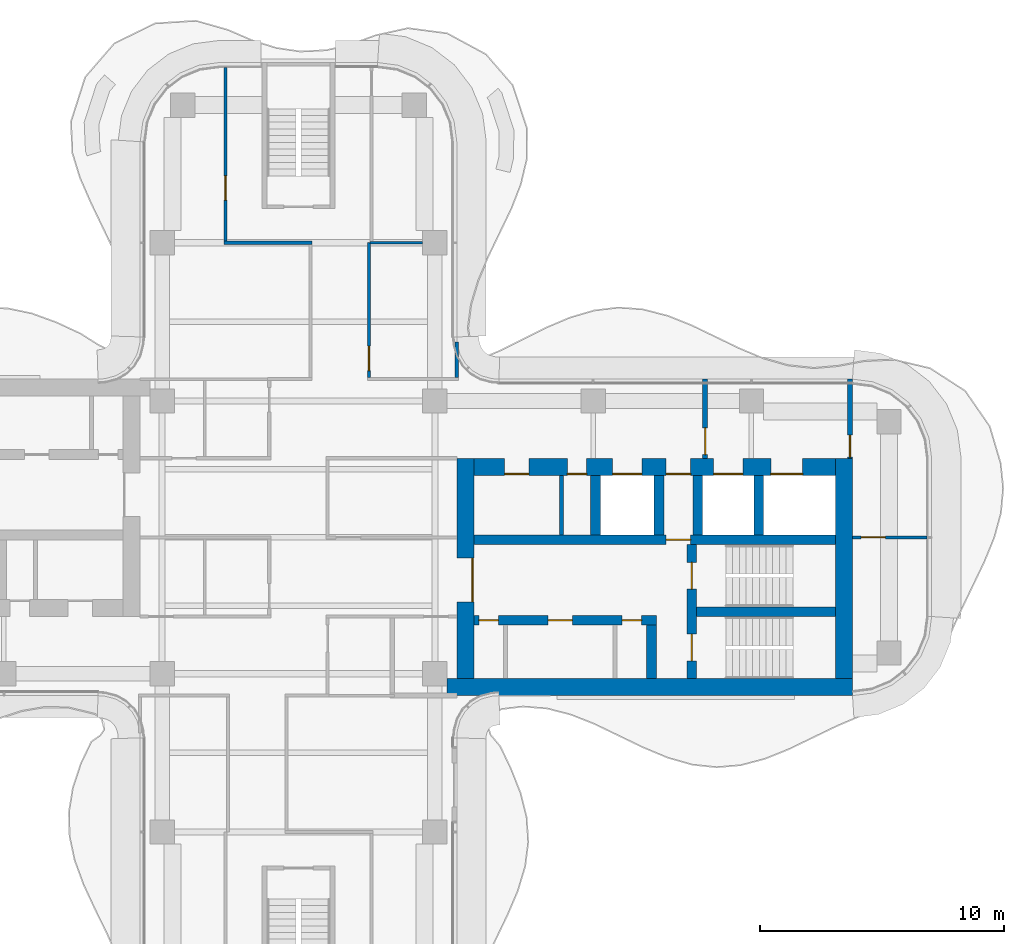
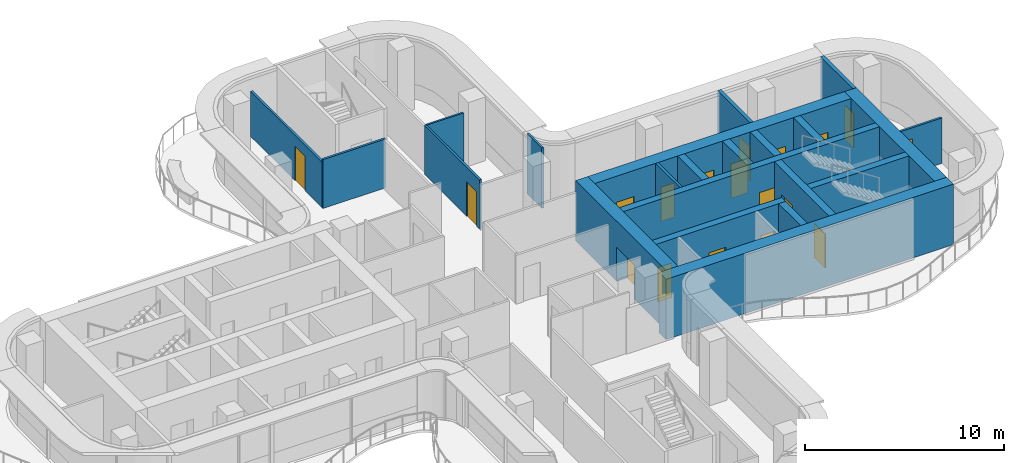
# One storey, part 13 of 16: 22 walls, 18 doors, 18 openings.
"""IFC4 building model written with IfcOpenShell, lengths in metres."""

from ifc_helpers import new_model, si_unit, direction, frame, frame_2d, origin, place, context, subcontext, project, spatial, rectangle, extrude, source, transform, mapped, material, layer, layer_set, type_object, element, fill, save


model = new_model("IFC4")

# Units and contexts
model_context = context("Model", 3, precision=1e-05, world=origin(), true_north=direction((0.0, 1.0)))
body_context = subcontext(model_context, "Body", "Model", "MODEL_VIEW")
ifc_project = project(units=[si_unit("LENGTHUNIT", "METRE"), si_unit("AREAUNIT", "SQUARE_METRE"), si_unit("VOLUMEUNIT", "CUBIC_METRE"), si_unit("PLANEANGLEUNIT", "RADIAN"), si_unit("MASSUNIT", "GRAM", prefix="KILO")], contexts=[model_context])

# Site, building, storey
site_placement = place(None, origin())
site = spatial("IfcSite", under=ifc_project, at=site_placement, CompositionType="ELEMENT")
building_placement = place(site_placement, origin())
building = spatial("IfcBuilding", under=site, at=building_placement, Name="Trellis Farm Tower", CompositionType="ELEMENT")
storey_placement = place(building_placement, frame((0.0, 0.0, 314.5)))
storey = spatial("IfcBuildingStorey", under=building, at=storey_placement, Name="L71", CompositionType="ELEMENT", Elevation=314.5)

# Wall, opening, door
ifc_material_1 = material(Name="Concrete C50/60", Category="concrete")
ifc_layer_1 = layer(ifc_material_1, 0.699951171875)
ifc_layer_set_1 = layer_set([ifc_layer_1], Name="CORE OUTER WALL 700 CONCRETE C50/60")
wall_type_1 = type_object("IfcWallType", Name="CORE OUTER WALL 700 CONCRETE C50/60", PredefinedType="SHEAR", material=ifc_layer_set_1)
shared_shape_1 = source(origin(), body_context, "Body", "SweptSolid", [
    extrude(rectangle(XDim=9.050048828125, YDim=0.699951171875, at=frame_2d((4.52490234375, 0.0))), origin(), (0.0, 0.0, 1.0), 3.699951171875),
])
wall_1_placement = place(storey_placement, frame((6.85009765625, -5.800048828125, 0.0), z_axis=(0.0, 0.0, 1.0), x_axis=(0.0, 1.0, 0.0)))
wall_1 = element("IfcWall", 1, at=wall_1_placement, inside=storey, type_object=wall_type_1, Name="Core wall", PredefinedType="SHEAR", context=body_context, shape_type="MappedRepresentation", body=[
    mapped(shared_shape_1, transform((0.0, 0.0, 0.0))),
])
shared_shape_2 = source(origin(), body_context, "Body", "SweptSolid", [
    extrude(rectangle(XDim=1.800048828125, YDim=2.10009765625, at=frame_2d((0.89990234375, 1.050048828125))), frame((0.0, 0.360107421875, 0.0), z_axis=(0.0, -1.0, 0.0), x_axis=(1.0, 0.0, 0.0)), (0.0, 0.0, 1.0), 0.72021484375),
])
opening_1_placement = place(wall_1_placement, frame((3.14990234375, 0.0, 0.0)))
opening_1 = element("IfcOpeningElement", 2, at=opening_1_placement, cuts=wall_1, Name="Opening DC1", PredefinedType="OPENING", context=body_context, shape_type="MappedRepresentation", body=[
    mapped(shared_shape_2, transform((0.0, 0.0, 0.0))),
])
ifc_material_2 = material(Name="Steel", Category="steel")
door_type_1 = type_object("IfcDoorType", Name="CORE FIRE DOOR DOUBLE 1800 X 2100", OperationType="DOUBLE_DOOR_SINGLE_SWING", PredefinedType="DOOR", material=ifc_material_2)
shared_shape_3 = source(origin(), body_context, "Body", "SweptSolid", [
    extrude(rectangle(XDim=1.800048828125, YDim=2.10009765625, at=frame_2d((0.89990234375, 1.050048828125))), frame((0.0, -0.27490234375, 0.0), z_axis=(0.0, -1.0, 0.0), x_axis=(1.0, 0.0, 0.0)), (0.0, 0.0, 1.0), 0.050048828125),
])
door_1_placement = place(opening_1_placement, origin())
door_1 = element("IfcDoor", 3, at=door_1_placement, inside=storey, type_object=door_type_1, Name="Core door", OperationType="DOUBLE_DOOR_SINGLE_SWING", OverallHeight=2.10009765625, OverallWidth=1.800048828125, PredefinedType="DOOR", context=body_context, shape_type="MappedRepresentation", body=[
    mapped(shared_shape_3, transform((0.0, 0.0, 0.0))),
])
fill(opening_1, door_1)

# Walls
wall_2_placement = place(storey_placement, frame((22.39990234375, -5.800048828125, 0.0), z_axis=(0.0, 0.0, 1.0), x_axis=(0.0, 1.0, 0.0)))
element("IfcWall", 4, at=wall_2_placement, inside=storey, type_object=wall_type_1, Name="Core wall", PredefinedType="SHEAR", context=body_context, shape_type="MappedRepresentation", body=[
    mapped(shared_shape_1, transform((0.0, 0.0, 0.0))),
])
ifc_layer_2 = layer(ifc_material_1, 0.39990234375)
ifc_layer_set_2 = layer_set([ifc_layer_2], Name="CORE INNER WALL 400 CONCRETE C50/60")
wall_type_2 = type_object("IfcWallType", Name="CORE INNER WALL 400 CONCRETE C50/60", PredefinedType="SHEAR", material=ifc_layer_set_2)
shared_shape_4 = source(origin(), body_context, "Body", "SweptSolid", [
    extrude(rectangle(XDim=2.449951171875, YDim=0.39990234375, at=frame_2d((1.22509765625, 0.0))), origin(), (0.0, 0.0, 1.0), 3.699951171875),
])
for number, where, z_axis, x_axis, name in (
    (5, (12.199951171875, 0.10009765625, 0.0), (0.0, 0.0, 1.0), (0.0, 1.0, 0.0), "Core wall"),
    (6, (14.800048828125, 0.10009765625, 0.0), (0.0, 0.0, 1.0), (0.0, 1.0, 0.0), "Core wall"),
    (7, (16.39990234375, 0.10009765625, 0.0), (0.0, 0.0, 1.0), (0.0, 1.0, 0.0), "Core wall"),
    (8, (18.89990234375, 0.10009765625, 0.0), (0.0, 0.0, 1.0), (0.0, 1.0, 0.0), "Core wall"),
):
    element("IfcWall", number, at=place(storey_placement, frame(where, z_axis=z_axis, x_axis=x_axis)), inside=storey, type_object=wall_type_2, Name=name, PredefinedType="SHEAR", context=body_context, shape_type="MappedRepresentation", body=[
        mapped(shared_shape_4, transform((0.0, 0.0, 0.0))),
    ])

# Wall, opening, door
ifc_material_3 = material(Name="Masonry blockwork", Category="masonry")
ifc_layer_3 = layer(ifc_material_3, 0.199951171875)
ifc_layer_set_3 = layer_set([ifc_layer_3], Name="FIRE LOBBY PARTITION 200 BLOCKWORK")
wall_type_3 = type_object("IfcWallType", Name="FIRE LOBBY PARTITION 200 BLOCKWORK", PredefinedType="PARTITIONING", material=ifc_layer_set_3)
shared_shape_5 = source(origin(), body_context, "Body", "SweptSolid", [
    extrude(rectangle(XDim=3.25, YDim=0.199951171875, at=frame_2d((1.625, 0.0))), origin(), (0.0, 0.0, 1.0), 3.699951171875),
])
wall_3_placement = place(storey_placement, frame((16.699951171875, 3.25, 0.0), z_axis=(0.0, 0.0, 1.0), x_axis=(0.0, 1.0, 0.0)))
wall_3 = element("IfcWall", 9, at=wall_3_placement, inside=storey, type_object=wall_type_3, Name="Fire-fighting lobby partition", PredefinedType="PARTITIONING", context=body_context, shape_type="MappedRepresentation", body=[
    mapped(shared_shape_5, transform((0.0, 0.0, 0.0))),
])
shared_shape_6 = source(origin(), body_context, "Body", "SweptSolid", [
    extrude(rectangle(XDim=1.10009765625, YDim=2.10009765625, at=frame_2d((0.550048828125, 1.050048828125))), frame((0.0, 0.110107421875, 0.0), z_axis=(0.0, -1.0, 0.0), x_axis=(1.0, 0.0, 0.0)), (0.0, 0.0, 1.0), 0.22021484375),
])
opening_2_placement = place(wall_3_placement, frame((0.14990234375, 0.0, 0.0)))
opening_2 = element("IfcOpeningElement", 10, at=opening_2_placement, cuts=wall_3, Name="Opening DC7", PredefinedType="OPENING", context=body_context, shape_type="MappedRepresentation", body=[
    mapped(shared_shape_6, transform((0.0, 0.0, 0.0))),
])
door_type_2 = type_object("IfcDoorType", Name="CORE FIRE DOOR 1100 X 2100", OperationType="NOTDEFINED", PredefinedType="DOOR", material=ifc_material_2)
shared_shape_7 = source(origin(), body_context, "Body", "SweptSolid", [
    extrude(rectangle(XDim=1.10009765625, YDim=2.10009765625, at=frame_2d((0.550048828125, 1.050048828125))), frame((0.0, 0.02490234375, 0.0), z_axis=(0.0, -1.0, 0.0), x_axis=(1.0, 0.0, 0.0)), (0.0, 0.0, 1.0), 0.050048828125),
])
door_2_placement = place(opening_2_placement, origin())
door_2 = element("IfcDoor", 11, at=door_2_placement, inside=storey, type_object=door_type_2, Name="Core door", OperationType="SINGLE_SWING_RIGHT", OverallHeight=2.10009765625, OverallWidth=1.10009765625, PredefinedType="DOOR", context=body_context, shape_type="MappedRepresentation", body=[
    mapped(shared_shape_7, transform((0.0, 0.0, 0.0))),
])
fill(opening_2, door_2)

wall_4_placement = place(storey_placement, frame((22.64990234375, 3.25, 0.0), z_axis=(0.0, 0.0, 1.0), x_axis=(0.0, 1.0, 0.0)))
wall_4 = element("IfcWall", 12, at=wall_4_placement, inside=storey, type_object=wall_type_3, Name="Fire-fighting lobby partition", PredefinedType="PARTITIONING", context=body_context, shape_type="MappedRepresentation", body=[
    mapped(shared_shape_5, transform((0.0, 0.0, 0.0))),
])
shared_shape_8 = source(origin(), body_context, "Body", "SweptSolid", [
    extrude(rectangle(XDim=0.89990234375, YDim=2.10009765625, at=frame_2d((0.449951171875, 1.050048828125))), frame((0.0, 0.110107421875, 0.0), z_axis=(0.0, -1.0, 0.0), x_axis=(1.0, 0.0, 0.0)), (0.0, 0.0, 1.0), 0.22021484375),
])
opening_3_placement = place(wall_4_placement, frame((0.050048828125, 0.0, 0.0)))
opening_3 = element("IfcOpeningElement", 13, at=opening_3_placement, cuts=wall_4, Name="Opening DC8", PredefinedType="OPENING", context=body_context, shape_type="MappedRepresentation", body=[
    mapped(shared_shape_8, transform((0.0, 0.0, 0.0))),
])
door_type_3 = type_object("IfcDoorType", Name="CORE FIRE DOOR 900 X 2100", OperationType="NOTDEFINED", PredefinedType="DOOR", material=ifc_material_2)
shared_shape_9 = source(origin(), body_context, "Body", "SweptSolid", [
    extrude(rectangle(XDim=0.89990234375, YDim=2.10009765625, at=frame_2d((0.449951171875, 1.050048828125))), frame((0.0, 0.02490234375, 0.0), z_axis=(0.0, -1.0, 0.0), x_axis=(1.0, 0.0, 0.0)), (0.0, 0.0, 1.0), 0.050048828125),
])
door_3_placement = place(opening_3_placement, origin())
door_3 = element("IfcDoor", 14, at=door_3_placement, inside=storey, type_object=door_type_3, Name="Core door", OperationType="SINGLE_SWING_RIGHT", OverallHeight=2.10009765625, OverallWidth=0.89990234375, PredefinedType="DOOR", context=body_context, shape_type="MappedRepresentation", body=[
    mapped(shared_shape_9, transform((0.0, 0.0, 0.0))),
])
fill(opening_3, door_3)

# Wall, openings, doors
shared_shape_10 = source(origin(), body_context, "Body", "SweptSolid", [
    extrude(rectangle(XDim=14.85009765625, YDim=0.699951171875, at=frame_2d((7.425048828125, 0.0))), origin(), (0.0, 0.0, 1.0), 3.699951171875),
])
wall_5_placement = place(storey_placement, frame((7.199951171875, 2.89990234375, 0.0), z_axis=(0.0, 0.0, 1.0), x_axis=(1.0, 0.0, 0.0)))
wall_5 = element("IfcWall", 15, at=wall_5_placement, inside=storey, type_object=wall_type_1, Name="Core wall", PredefinedType="SHEAR", context=body_context, shape_type="MappedRepresentation", body=[
    mapped(shared_shape_10, transform((0.0, 0.0, 0.0))),
])
shared_shape_11 = source(origin(), body_context, "Body", "SweptSolid", [
    extrude(rectangle(XDim=1.199951171875, YDim=2.10009765625, at=frame_2d((0.60009765625, 1.050048828125))), frame((0.0, 0.360107421875, 0.0), z_axis=(0.0, -1.0, 0.0), x_axis=(1.0, 0.0, 0.0)), (0.0, 0.0, 1.0), 0.72021484375),
])
opening_4_placement = place(wall_5_placement, frame((5.699951171875, 0.0, 0.0)))
opening_4 = element("IfcOpeningElement", 16, at=opening_4_placement, cuts=wall_5, Name="Opening LD6", PredefinedType="OPENING", context=body_context, shape_type="MappedRepresentation", body=[
    mapped(shared_shape_11, transform((0.0, 0.0, 0.0))),
])
shared_shape_12 = source(origin(), body_context, "Body", "SweptSolid", [
    extrude(rectangle(XDim=1.300048828125, YDim=2.10009765625, at=frame_2d((0.64990234375, 1.050048828125))), frame((0.0, 0.360107421875, 0.0), z_axis=(0.0, -1.0, 0.0), x_axis=(1.0, 0.0, 0.0)), (0.0, 0.0, 1.0), 0.72021484375),
])
opening_5_placement = place(wall_5_placement, frame((12.199951171875, 0.0, 0.0)))
opening_5 = element("IfcOpeningElement", 17, at=opening_5_placement, cuts=wall_5, Name="Opening LD7", PredefinedType="OPENING", context=body_context, shape_type="MappedRepresentation", body=[
    mapped(shared_shape_12, transform((0.0, 0.0, 0.0))),
])
opening_6_placement = place(wall_5_placement, frame((9.85009765625, 0.0, 0.0)))
opening_6 = element("IfcOpeningElement", 18, at=opening_6_placement, cuts=wall_5, Name="Opening LD8", PredefinedType="OPENING", context=body_context, shape_type="MappedRepresentation", body=[
    mapped(shared_shape_11, transform((0.0, 0.0, 0.0))),
])
shared_shape_13 = source(origin(), body_context, "Body", "SweptSolid", [
    extrude(rectangle(XDim=1.0, YDim=2.10009765625, at=frame_2d((0.5, 1.050048828125))), frame((0.0, 0.360107421875, 0.0), z_axis=(0.0, -1.0, 0.0), x_axis=(1.0, 0.0, 0.0)), (0.0, 0.0, 1.0), 0.72021484375),
])
opening_7_placement = place(wall_5_placement, frame((7.89990234375, 0.0, 0.0)))
opening_7 = element("IfcOpeningElement", 19, at=opening_7_placement, cuts=wall_5, Name="Opening DC6", PredefinedType="OPENING", context=body_context, shape_type="MappedRepresentation", body=[
    mapped(shared_shape_13, transform((0.0, 0.0, 0.0))),
])
opening_8_placement = place(wall_5_placement, frame((1.262451171875, 0.0, 0.0)))
opening_8 = element("IfcOpeningElement", 20, at=opening_8_placement, cuts=wall_5, Name="Opening DC14", PredefinedType="OPENING", context=body_context, shape_type="MappedRepresentation", body=[
    mapped(shared_shape_13, transform((0.0, 0.0, 0.0))),
])
shared_shape_14 = source(origin(), body_context, "Body", "SweptSolid", [
    extrude(rectangle(XDim=0.800048828125, YDim=2.10009765625, at=frame_2d((0.39990234375, 1.050048828125))), frame((0.0, 0.360107421875, 0.0), z_axis=(0.0, -1.0, 0.0), x_axis=(1.0, 0.0, 0.0)), (0.0, 0.0, 1.0), 0.72021484375),
])
opening_9_placement = place(wall_5_placement, frame((3.83740234375, 0.0, 0.0)))
opening_9 = element("IfcOpeningElement", 21, at=opening_9_placement, cuts=wall_5, Name="Opening DC15", PredefinedType="OPENING", context=body_context, shape_type="MappedRepresentation", body=[
    mapped(shared_shape_14, transform((0.0, 0.0, 0.0))),
])
door_type_4 = type_object("IfcDoorType", Name="CORE FIRE DOOR 1000 X 2100", OperationType="NOTDEFINED", PredefinedType="DOOR", material=ifc_material_2)
shared_shape_15 = source(origin(), body_context, "Body", "SweptSolid", [
    extrude(rectangle(XDim=1.0, YDim=2.10009765625, at=frame_2d((0.5, 1.050048828125))), frame((0.0, -0.27490234375, 0.0), z_axis=(0.0, -1.0, 0.0), x_axis=(1.0, 0.0, 0.0)), (0.0, 0.0, 1.0), 0.050048828125),
])
door_4_placement = place(opening_7_placement, origin())
door_4 = element("IfcDoor", 22, at=door_4_placement, inside=storey, type_object=door_type_4, Name="Core door", OperationType="SINGLE_SWING_LEFT", OverallHeight=2.10009765625, OverallWidth=1.0, PredefinedType="DOOR", context=body_context, shape_type="MappedRepresentation", body=[
    mapped(shared_shape_15, transform((0.0, 0.0, 0.0))),
])
fill(opening_7, door_4)
door_5_placement = place(opening_8_placement, origin())
door_5 = element("IfcDoor", 23, at=door_5_placement, inside=storey, type_object=door_type_4, Name="Core door", OperationType="SINGLE_SWING_RIGHT", OverallHeight=2.10009765625, OverallWidth=1.0, PredefinedType="DOOR", context=body_context, shape_type="MappedRepresentation", body=[
    mapped(shared_shape_15, transform((0.0, 0.0, 0.0))),
])
fill(opening_8, door_5)
ifc_material_4 = material(Name="Stainless steel", Category="steel")
door_type_5 = type_object("IfcDoorType", Name="LIFT LANDING DOOR 1300 X 2100", OperationType="DOUBLE_DOOR_SLIDING", PredefinedType="DOOR", material=ifc_material_4)
shared_shape_16 = source(origin(), body_context, "Body", "SweptSolid", [
    extrude(rectangle(XDim=1.300048828125, YDim=2.10009765625, at=frame_2d((0.64990234375, 1.050048828125))), frame((0.0, -0.27490234375, 0.0), z_axis=(0.0, -1.0, 0.0), x_axis=(1.0, 0.0, 0.0)), (0.0, 0.0, 1.0), 0.050048828125),
])
door_6_placement = place(opening_5_placement, origin())
door_6 = element("IfcDoor", 24, at=door_6_placement, inside=storey, type_object=door_type_5, Name="Lift landing door", OperationType="DOUBLE_DOOR_SLIDING", OverallHeight=2.10009765625, OverallWidth=1.300048828125, PredefinedType="DOOR", context=body_context, shape_type="MappedRepresentation", body=[
    mapped(shared_shape_16, transform((0.0, 0.0, 0.0))),
])
fill(opening_5, door_6)
door_type_6 = type_object("IfcDoorType", Name="LIFT LANDING DOOR 1200 X 2100", OperationType="DOUBLE_DOOR_SLIDING", PredefinedType="DOOR", material=ifc_material_4)
shared_shape_17 = source(origin(), body_context, "Body", "SweptSolid", [
    extrude(rectangle(XDim=1.199951171875, YDim=2.10009765625, at=frame_2d((0.60009765625, 1.050048828125))), frame((0.0, -0.27490234375, 0.0), z_axis=(0.0, -1.0, 0.0), x_axis=(1.0, 0.0, 0.0)), (0.0, 0.0, 1.0), 0.050048828125),
])
door_7_placement = place(opening_4_placement, origin())
door_7 = element("IfcDoor", 25, at=door_7_placement, inside=storey, type_object=door_type_6, Name="Lift landing door", OperationType="DOUBLE_DOOR_SLIDING", OverallHeight=2.10009765625, OverallWidth=1.199951171875, PredefinedType="DOOR", context=body_context, shape_type="MappedRepresentation", body=[
    mapped(shared_shape_17, transform((0.0, 0.0, 0.0))),
])
fill(opening_4, door_7)
door_8_placement = place(opening_6_placement, origin())
door_8 = element("IfcDoor", 26, at=door_8_placement, inside=storey, type_object=door_type_6, Name="Lift landing door", OperationType="DOUBLE_DOOR_SLIDING", OverallHeight=2.10009765625, OverallWidth=1.199951171875, PredefinedType="DOOR", context=body_context, shape_type="MappedRepresentation", body=[
    mapped(shared_shape_17, transform((0.0, 0.0, 0.0))),
])
fill(opening_6, door_8)
door_type_7 = type_object("IfcDoorType", Name="CORE FIRE DOOR 800 X 2100", OperationType="NOTDEFINED", PredefinedType="DOOR", material=ifc_material_2)
shared_shape_18 = source(origin(), body_context, "Body", "SweptSolid", [
    extrude(rectangle(XDim=0.800048828125, YDim=2.10009765625, at=frame_2d((0.39990234375, 1.050048828125))), frame((0.0, -0.27490234375, 0.0), z_axis=(0.0, -1.0, 0.0), x_axis=(1.0, 0.0, 0.0)), (0.0, 0.0, 1.0), 0.050048828125),
])
door_9_placement = place(opening_9_placement, origin())
door_9 = element("IfcDoor", 27, at=door_9_placement, inside=storey, type_object=door_type_7, Name="Core door", OperationType="SINGLE_SWING_LEFT", OverallHeight=2.10009765625, OverallWidth=0.800048828125, PredefinedType="DOOR", context=body_context, shape_type="MappedRepresentation", body=[
    mapped(shared_shape_18, transform((0.0, 0.0, 0.0))),
])
fill(opening_9, door_9)

shared_shape_19 = source(origin(), body_context, "Body", "SweptSolid", [
    extrude(rectangle(XDim=7.5, YDim=0.39990234375, at=frame_2d((3.75, 0.0))), origin(), (0.0, 0.0, 1.0), 3.699951171875),
])
wall_6_placement = place(storey_placement, frame((7.199951171875, -3.39990234375, 0.0), z_axis=(0.0, 0.0, 1.0), x_axis=(1.0, 0.0, 0.0)))
wall_6 = element("IfcWall", 28, at=wall_6_placement, inside=storey, type_object=wall_type_2, Name="Core wall", PredefinedType="SHEAR", context=body_context, shape_type="MappedRepresentation", body=[
    mapped(shared_shape_19, transform((0.0, 0.0, 0.0))),
])
shared_shape_20 = source(origin(), body_context, "Body", "SweptSolid", [
    extrude(rectangle(XDim=0.800048828125, YDim=2.10009765625, at=frame_2d((0.39990234375, 1.050048828125))), frame((0.0, 0.2099609375, 0.0), z_axis=(0.0, -1.0, 0.0), x_axis=(1.0, 0.0, 0.0)), (0.0, 0.0, 1.0), 0.419921875),
])
opening_10_placement = place(wall_6_placement, frame((0.21240234375, 0.0, 0.0)))
opening_10 = element("IfcOpeningElement", 29, at=opening_10_placement, cuts=wall_6, Name="Opening DC51", PredefinedType="OPENING", context=body_context, shape_type="MappedRepresentation", body=[
    mapped(shared_shape_20, transform((0.0, 0.0, 0.0))),
])
shared_shape_21 = source(origin(), body_context, "Body", "SweptSolid", [
    extrude(rectangle(XDim=1.0, YDim=2.10009765625, at=frame_2d((0.5, 1.050048828125))), frame((0.0, 0.2099609375, 0.0), z_axis=(0.0, -1.0, 0.0), x_axis=(1.0, 0.0, 0.0)), (0.0, 0.0, 1.0), 0.419921875),
])
opening_11_placement = place(wall_6_placement, frame((3.050048828125, 0.0, 0.0)))
opening_11 = element("IfcOpeningElement", 30, at=opening_11_placement, cuts=wall_6, Name="Opening DC62", PredefinedType="OPENING", context=body_context, shape_type="MappedRepresentation", body=[
    mapped(shared_shape_21, transform((0.0, 0.0, 0.0))),
])
opening_12_placement = place(wall_6_placement, frame((6.08740234375, 0.0, 0.0)))
opening_12 = element("IfcOpeningElement", 31, at=opening_12_placement, cuts=wall_6, Name="Opening DC63", PredefinedType="OPENING", context=body_context, shape_type="MappedRepresentation", body=[
    mapped(shared_shape_20, transform((0.0, 0.0, 0.0))),
])
shared_shape_22 = source(origin(), body_context, "Body", "SweptSolid", [
    extrude(rectangle(XDim=1.0, YDim=2.10009765625, at=frame_2d((0.5, 1.050048828125))), frame((0.0, 0.02490234375, 0.0), z_axis=(0.0, -1.0, 0.0), x_axis=(1.0, 0.0, 0.0)), (0.0, 0.0, 1.0), 0.050048828125),
])
door_10_placement = place(opening_11_placement, origin())
door_10 = element("IfcDoor", 32, at=door_10_placement, inside=storey, type_object=door_type_4, Name="Core door", OperationType="SINGLE_SWING_RIGHT", OverallHeight=2.10009765625, OverallWidth=1.0, PredefinedType="DOOR", context=body_context, shape_type="MappedRepresentation", body=[
    mapped(shared_shape_22, transform((0.0, 0.0, 0.0))),
])
fill(opening_11, door_10)
shared_shape_23 = source(origin(), body_context, "Body", "SweptSolid", [
    extrude(rectangle(XDim=0.800048828125, YDim=2.10009765625, at=frame_2d((0.39990234375, 1.050048828125))), frame((0.0, 0.02490234375, 0.0), z_axis=(0.0, -1.0, 0.0), x_axis=(1.0, 0.0, 0.0)), (0.0, 0.0, 1.0), 0.050048828125),
])
door_11_placement = place(opening_10_placement, origin())
door_11 = element("IfcDoor", 33, at=door_11_placement, inside=storey, type_object=door_type_7, Name="Core door", OperationType="SINGLE_SWING_LEFT", OverallHeight=2.10009765625, OverallWidth=0.800048828125, PredefinedType="DOOR", context=body_context, shape_type="MappedRepresentation", body=[
    mapped(shared_shape_23, transform((0.0, 0.0, 0.0))),
])
fill(opening_10, door_11)
door_12_placement = place(opening_12_placement, origin())
door_12 = element("IfcDoor", 34, at=door_12_placement, inside=storey, type_object=door_type_7, Name="Core door", OperationType="SINGLE_SWING_LEFT", OverallHeight=2.10009765625, OverallWidth=0.800048828125, PredefinedType="DOOR", context=body_context, shape_type="MappedRepresentation", body=[
    mapped(shared_shape_23, transform((0.0, 0.0, 0.0))),
])
fill(opening_12, door_12)

# Wall, opening, door
shared_shape_24 = source(origin(), body_context, "Body", "SweptSolid", [
    extrude(rectangle(XDim=14.85009765625, YDim=0.39990234375, at=frame_2d((7.425048828125, 0.0))), origin(), (0.0, 0.0, 1.0), 3.699951171875),
])
wall_7_placement = place(storey_placement, frame((7.199951171875, -0.10009765625, 0.0), z_axis=(0.0, 0.0, 1.0), x_axis=(1.0, 0.0, 0.0)))
wall_7 = element("IfcWall", 35, at=wall_7_placement, inside=storey, type_object=wall_type_2, Name="Core wall", PredefinedType="SHEAR", context=body_context, shape_type="MappedRepresentation", body=[
    mapped(shared_shape_24, transform((0.0, 0.0, 0.0))),
])
opening_13_placement = place(wall_7_placement, frame((7.89990234375, 0.0, 0.0)))
opening_13 = element("IfcOpeningElement", 36, at=opening_13_placement, cuts=wall_7, Name="Opening DC5", PredefinedType="OPENING", context=body_context, shape_type="MappedRepresentation", body=[
    mapped(shared_shape_21, transform((0.0, 0.0, 0.0))),
])
door_13_placement = place(opening_13_placement, origin())
door_13 = element("IfcDoor", 37, at=door_13_placement, inside=storey, type_object=door_type_4, Name="Core door", OperationType="SINGLE_SWING_RIGHT", OverallHeight=2.10009765625, OverallWidth=1.0, PredefinedType="DOOR", context=body_context, shape_type="MappedRepresentation", body=[
    mapped(shared_shape_22, transform((0.0, 0.0, 0.0))),
])
fill(opening_13, door_13)

# Wall, openings, doors
shared_shape_25 = source(origin(), body_context, "Body", "SweptSolid", [
    extrude(rectangle(XDim=5.5, YDim=0.39990234375, at=frame_2d((2.75, 0.0))), origin(), (0.0, 0.0, 1.0), 3.699951171875),
])
wall_8_placement = place(storey_placement, frame((16.14990234375, -5.800048828125, 0.0), z_axis=(0.0, 0.0, 1.0), x_axis=(0.0, 1.0, 0.0)))
wall_8 = element("IfcWall", 38, at=wall_8_placement, inside=storey, type_object=wall_type_2, Name="Core wall", PredefinedType="SHEAR", context=body_context, shape_type="MappedRepresentation", body=[
    mapped(shared_shape_25, transform((0.0, 0.0, 0.0))),
])
shared_shape_26 = source(origin(), body_context, "Body", "SweptSolid", [
    extrude(rectangle(XDim=1.10009765625, YDim=2.10009765625, at=frame_2d((0.550048828125, 1.050048828125))), frame((0.0, 0.2099609375, 0.0), z_axis=(0.0, -1.0, 0.0), x_axis=(1.0, 0.0, 0.0)), (0.0, 0.0, 1.0), 0.419921875),
])
opening_14_placement = place(wall_8_placement, frame((0.72509765625, 0.0, 0.0)))
opening_14 = element("IfcOpeningElement", 39, at=opening_14_placement, cuts=wall_8, Name="Opening DC2", PredefinedType="OPENING", context=body_context, shape_type="MappedRepresentation", body=[
    mapped(shared_shape_26, transform((0.0, 0.0, 0.0))),
])
opening_15_placement = place(wall_8_placement, frame((3.675048828125, 0.0, 0.0)))
opening_15 = element("IfcOpeningElement", 40, at=opening_15_placement, cuts=wall_8, Name="Opening DC3", PredefinedType="OPENING", context=body_context, shape_type="MappedRepresentation", body=[
    mapped(shared_shape_26, transform((0.0, 0.0, 0.0))),
])
door_14_placement = place(opening_14_placement, origin())
door_14 = element("IfcDoor", 41, at=door_14_placement, inside=storey, type_object=door_type_2, Name="Core door", OperationType="SINGLE_SWING_RIGHT", OverallHeight=2.10009765625, OverallWidth=1.10009765625, PredefinedType="DOOR", context=body_context, shape_type="MappedRepresentation", body=[
    mapped(shared_shape_7, transform((0.0, 0.0, 0.0))),
])
fill(opening_14, door_14)
door_15_placement = place(opening_15_placement, origin())
door_15 = element("IfcDoor", 42, at=door_15_placement, inside=storey, type_object=door_type_2, Name="Core door", OperationType="SINGLE_SWING_LEFT", OverallHeight=2.10009765625, OverallWidth=1.10009765625, PredefinedType="DOOR", context=body_context, shape_type="MappedRepresentation", body=[
    mapped(shared_shape_7, transform((0.0, 0.0, 0.0))),
])
fill(opening_15, door_15)

# Walls
shared_shape_27 = source(origin(), body_context, "Body", "SweptSolid", [
    extrude(rectangle(XDim=5.699951171875, YDim=0.39990234375, at=frame_2d((2.85009765625, 0.0))), origin(), (0.0, 0.0, 1.0), 3.699951171875),
])
wall_9_placement = place(storey_placement, frame((16.35009765625, -3.050048828125, 0.0), z_axis=(0.0, 0.0, 1.0), x_axis=(1.0, 0.0, 0.0)))
element("IfcWall", 43, at=wall_9_placement, inside=storey, type_object=wall_type_2, Name="Core wall", PredefinedType="SHEAR", context=body_context, shape_type="MappedRepresentation", body=[
    mapped(shared_shape_27, transform((0.0, 0.0, 0.0))),
])
shared_shape_28 = source(origin(), body_context, "Body", "SweptSolid", [
    extrude(rectangle(XDim=2.199951171875, YDim=0.39990234375, at=frame_2d((1.10009765625, 0.0))), origin(), (0.0, 0.0, 1.0), 3.699951171875),
])
wall_10_placement = place(storey_placement, frame((14.5, -5.800048828125, 0.0), z_axis=(0.0, 0.0, 1.0), x_axis=(0.0, 1.0, 0.0)))
element("IfcWall", 44, at=wall_10_placement, inside=storey, type_object=wall_type_2, Name="Core wall", PredefinedType="SHEAR", context=body_context, shape_type="MappedRepresentation", body=[
    mapped(shared_shape_28, transform((0.0, 0.0, 0.0))),
])
shared_shape_29 = source(origin(), body_context, "Body", "SweptSolid", [
    extrude(rectangle(XDim=16.64990234375, YDim=0.699951171875, at=frame_2d((8.324951171875, 0.0))), origin(), (0.0, 0.0, 1.0), 3.699951171875),
])
wall_11_placement = place(storey_placement, frame((6.10009765625, -6.14990234375, 0.0), z_axis=(0.0, 0.0, 1.0), x_axis=(1.0, 0.0, 0.0)))
element("IfcWall", 45, at=wall_11_placement, inside=storey, type_object=wall_type_1, Name="Core wall", PredefinedType="SHEAR", context=body_context, shape_type="MappedRepresentation", body=[
    mapped(shared_shape_29, transform((0.0, 0.0, 0.0))),
])
ifc_layer_4 = layer(ifc_material_3, 0.14990234375)
ifc_layer_set_4 = layer_set([ifc_layer_4], Name="CORE PARTITION 150 BLOCKWORK")
wall_type_4 = type_object("IfcWallType", Name="CORE PARTITION 150 BLOCKWORK", PredefinedType="PARTITIONING", material=ifc_layer_set_4)
shared_shape_30 = source(origin(), body_context, "Body", "SweptSolid", [
    extrude(rectangle(XDim=2.449951171875, YDim=0.14990234375, at=frame_2d((1.22509765625, 0.0))), origin(), (0.0, 0.0, 1.0), 3.699951171875),
])
wall_12_placement = place(storey_placement, frame((10.800048828125, 0.10009765625, 0.0), z_axis=(0.0, 0.0, 1.0), x_axis=(0.0, 1.0, 0.0)))
element("IfcWall", 46, at=wall_12_placement, inside=storey, type_object=wall_type_4, Name="Core room partition", PredefinedType="PARTITIONING", context=body_context, shape_type="MappedRepresentation", body=[
    mapped(shared_shape_30, transform((0.0, 0.0, 0.0))),
])

# Wall, opening, door
ifc_material_5 = material(Name="Plasterboard on steel studs, mineral wool", Category="steel")
ifc_layer_5 = layer(ifc_material_5, 0.125)
ifc_layer_set_5 = layer_set([ifc_layer_5], Name="PARTITION 125 STUD EI 60")
wall_type_5 = type_object("IfcWallType", Name="PARTITION 125 STUD EI 60", PredefinedType="PARTITIONING", material=ifc_layer_set_5)
shared_shape_31 = source(origin(), body_context, "Body", "SweptSolid", [
    extrude(rectangle(XDim=5.53759765625, YDim=0.125, at=frame_2d((2.768798828125, 0.0))), origin(), (0.0, 0.0, 1.0), 2.99658203125),
])
wall_13_placement = place(storey_placement, frame((2.89990234375, 12.10009765625, 0.0), z_axis=(0.0, 0.0, 1.0), x_axis=(0.0, -1.0, 0.0)))
wall_13 = element("IfcWall", 47, at=wall_13_placement, inside=storey, type_object=wall_type_5, Name="Partition PW1", PredefinedType="PARTITIONING", context=body_context, shape_type="MappedRepresentation", body=[
    mapped(shared_shape_31, transform((0.0, 0.0, 0.0))),
])
shared_shape_32 = source(origin(), body_context, "Body", "SweptSolid", [
    extrude(rectangle(XDim=1.0, YDim=2.10009765625, at=frame_2d((0.5, 1.050048828125))), frame((0.0, 0.072509765625, 0.0), z_axis=(0.0, -1.0, 0.0), x_axis=(1.0, 0.0, 0.0)), (0.0, 0.0, 1.0), 0.14501953125),
])
opening_16_placement = place(wall_13_placement, frame((4.25, 0.0, 0.0)))
opening_16 = element("IfcOpeningElement", 48, at=opening_16_placement, cuts=wall_13, Name="Opening D109", PredefinedType="OPENING", context=body_context, shape_type="MappedRepresentation", body=[
    mapped(shared_shape_32, transform((0.0, 0.0, 0.0))),
])
ifc_material_6 = material(Name="Fire-rated timber door leaf in a hollow metal frame", Category="wood")
door_type_8 = type_object("IfcDoorType", Name="DOOR 1000x2100 FD30S", OperationType="NOTDEFINED", PredefinedType="DOOR", material=ifc_material_6)
door_16_placement = place(opening_16_placement, origin())
door_16 = element("IfcDoor", 49, at=door_16_placement, inside=storey, type_object=door_type_8, Name="Door D109", OperationType="SINGLE_SWING_RIGHT", OverallHeight=2.10009765625, OverallWidth=1.0, PredefinedType="DOOR", context=body_context, shape_type="MappedRepresentation", body=[
    mapped(shared_shape_22, transform((0.0, 0.0, 0.0))),
])
fill(opening_16, door_16)

# Walls
shared_shape_33 = source(origin(), body_context, "Body", "SweptSolid", [
    extrude(rectangle(XDim=1.468994140625, YDim=0.125, at=frame_2d((0.734375, 0.0))), origin(), (0.0, 0.0, 1.0), 3.699951171875),
])
wall_14_placement = place(storey_placement, frame((6.5, 6.5625, 0.0), z_axis=(0.0, 0.0, 1.0), x_axis=(0.0, 1.0, 0.0)))
element("IfcWall", 50, at=wall_14_placement, inside=storey, type_object=wall_type_5, Name="Partition PW1", PredefinedType="PARTITIONING", context=body_context, shape_type="MappedRepresentation", body=[
    mapped(shared_shape_33, transform((0.0, 0.0, 0.0))),
])
shared_shape_34 = source(origin(), body_context, "Body", "SweptSolid", [
    extrude(rectangle(XDim=3.625, YDim=0.125, at=frame_2d((1.8125, 0.0))), origin(), (0.0, 0.0, 1.0), 2.99658203125),
])
wall_15_placement = place(storey_placement, frame((0.5625, 12.10009765625, 0.0), z_axis=(0.0, 0.0, 1.0), x_axis=(-1.0, 0.0, 0.0)))
element("IfcWall", 51, at=wall_15_placement, inside=storey, type_object=wall_type_5, Name="Partition PW1", PredefinedType="PARTITIONING", context=body_context, shape_type="MappedRepresentation", body=[
    mapped(shared_shape_34, transform((0.0, 0.0, 0.0))),
])

# Wall, opening, door
shared_shape_35 = source(origin(), body_context, "Body", "SweptSolid", [
    extrude(rectangle(XDim=3.050048828125, YDim=0.125, at=frame_2d((1.52490234375, 0.0))), origin(), (0.0, 0.0, 1.0), 2.780029296875),
])
wall_16_placement = place(storey_placement, frame((25.800048828125, 0.0, 0.0), z_axis=(0.0, 0.0, 1.0), x_axis=(-1.0, 0.0, 0.0)))
wall_16 = element("IfcWall", 52, at=wall_16_placement, inside=storey, type_object=wall_type_5, Name="Partition PW1", PredefinedType="PARTITIONING", context=body_context, shape_type="MappedRepresentation", body=[
    mapped(shared_shape_35, transform((0.0, 0.0, 0.0))),
])
opening_17_placement = place(wall_16_placement, frame((1.699951171875, 0.0, 0.0)))
opening_17 = element("IfcOpeningElement", 53, at=opening_17_placement, cuts=wall_16, Name="Opening D106", PredefinedType="OPENING", context=body_context, shape_type="MappedRepresentation", body=[
    mapped(shared_shape_32, transform((0.0, 0.0, 0.0))),
])
door_17_placement = place(opening_17_placement, origin())
door_17 = element("IfcDoor", 54, at=door_17_placement, inside=storey, type_object=door_type_8, Name="Door D106", OperationType="SINGLE_SWING_RIGHT", OverallHeight=2.10009765625, OverallWidth=1.0, PredefinedType="DOOR", context=body_context, shape_type="MappedRepresentation", body=[
    mapped(shared_shape_22, transform((0.0, 0.0, 0.0))),
])
fill(opening_17, door_17)

# Wall
ifc_material_7 = material(Name="Plasterboard on steel studs", Category="steel")
ifc_layer_6 = layer(ifc_material_7, 0.10009765625)
ifc_layer_set_6 = layer_set([ifc_layer_6], Name="PARTITION 100 STUD EI 30")
wall_type_6 = type_object("IfcWallType", Name="PARTITION 100 STUD EI 30", PredefinedType="PARTITIONING", material=ifc_layer_set_6)
shared_shape_36 = source(origin(), body_context, "Body", "SweptSolid", [
    extrude(rectangle(XDim=2.16259765625, YDim=0.10009765625, at=frame_2d((1.081298828125, 0.0))), origin(), (0.0, 0.0, 1.0), 2.99658203125),
])
wall_17_placement = place(storey_placement, frame((2.9375, 12.10009765625, 0.0), z_axis=(0.0, 0.0, 1.0), x_axis=(1.0, 0.0, 0.0)))
element("IfcWall", 55, at=wall_17_placement, inside=storey, type_object=wall_type_6, Name="Partition PW2", PredefinedType="PARTITIONING", context=body_context, shape_type="MappedRepresentation", body=[
    mapped(shared_shape_36, transform((0.0, 0.0, 0.0))),
])

# Wall, opening, door
shared_shape_37 = source(origin(), body_context, "Body", "SweptSolid", [
    extrude(rectangle(XDim=7.137451171875, YDim=0.125, at=frame_2d((3.56884765625, 0.0))), origin(), (0.0, 0.0, 1.0), 2.780029296875),
])
wall_18_placement = place(storey_placement, frame((-3.0, 12.16259765625, 0.0), z_axis=(0.0, 0.0, 1.0), x_axis=(0.0, 1.0, 0.0)))
wall_18 = element("IfcWall", 56, at=wall_18_placement, inside=storey, type_object=wall_type_5, Name="Partition PW1", PredefinedType="PARTITIONING", context=body_context, shape_type="MappedRepresentation", body=[
    mapped(shared_shape_37, transform((0.0, 0.0, 0.0))),
])
opening_18_placement = place(wall_18_placement, frame((1.6875, 0.0, 0.0)))
opening_18 = element("IfcOpeningElement", 57, at=opening_18_placement, cuts=wall_18, Name="Opening D110", PredefinedType="OPENING", context=body_context, shape_type="MappedRepresentation", body=[
    mapped(shared_shape_32, transform((0.0, 0.0, 0.0))),
])
door_18_placement = place(opening_18_placement, origin())
door_18 = element("IfcDoor", 58, at=door_18_placement, inside=storey, type_object=door_type_8, Name="Door D110", OperationType="SINGLE_SWING_LEFT", OverallHeight=2.10009765625, OverallWidth=1.0, PredefinedType="DOOR", context=body_context, shape_type="MappedRepresentation", body=[
    mapped(shared_shape_22, transform((0.0, 0.0, 0.0))),
])
fill(opening_18, door_18)

save(model, "model.ifc")
